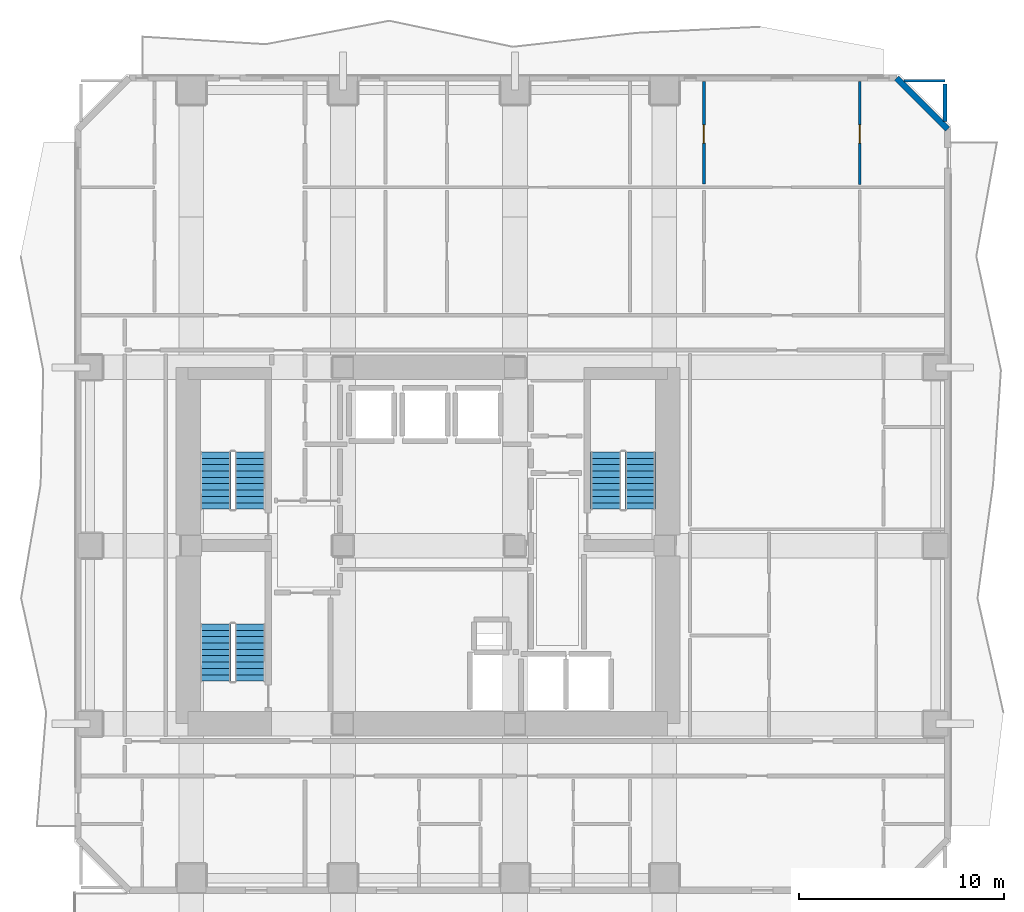
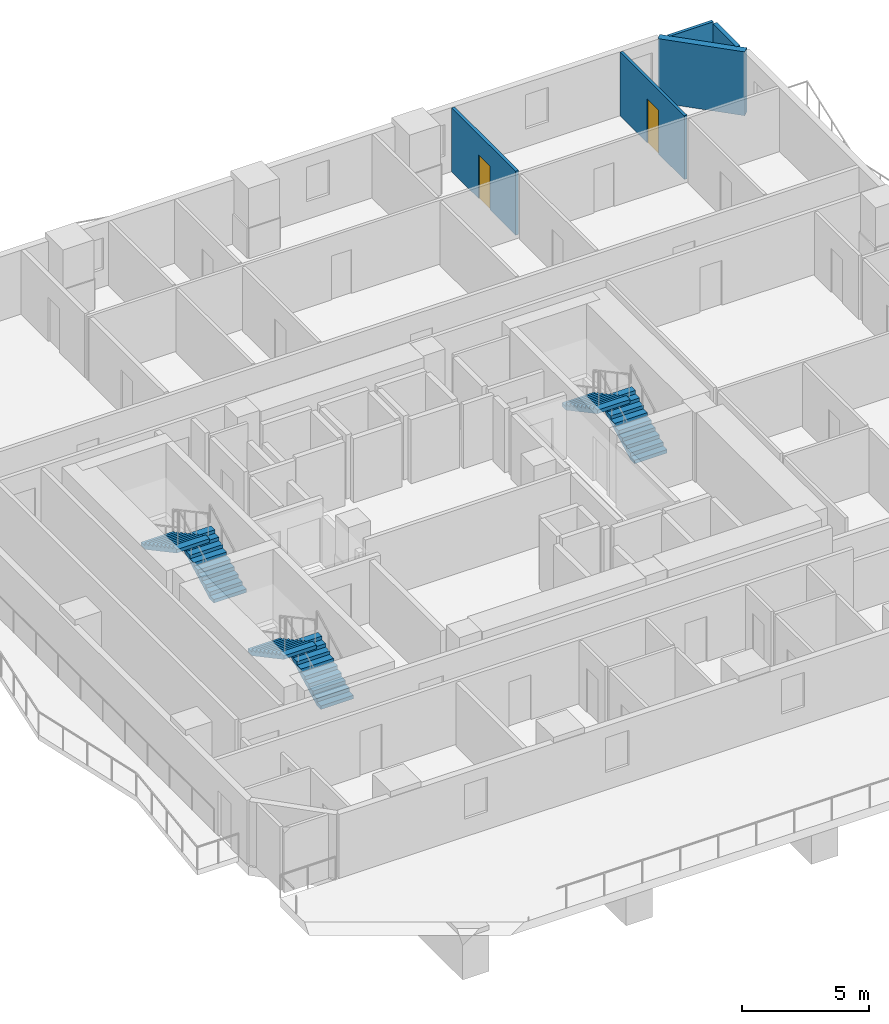
# One storey, part 7 of 11: 6 stair flights, 5 walls, 2 doors, 2 openings, 3 elements without a shape of their own.
"""IFC4 building model written with IfcOpenShell, lengths in metres."""

from ifc_helpers import new_model, si_unit, direction, frame, frame_2d, origin, place, context, subcontext, project, spatial, polyline, rectangle, outline, extrude, material, layer, layer_set, type_object, element, fill, aggregate, save


model = new_model("IFC4")

# Units and contexts
model_context = context("Model", 3, precision=1e-05, world=origin(), true_north=direction((0.0, 1.0)))
body_context = subcontext(model_context, "Body", "Model", "MODEL_VIEW")
ifc_project = project(units=[si_unit("LENGTHUNIT", "METRE"), si_unit("AREAUNIT", "SQUARE_METRE"), si_unit("VOLUMEUNIT", "CUBIC_METRE"), si_unit("PLANEANGLEUNIT", "RADIAN"), si_unit("MASSUNIT", "GRAM", prefix="KILO")], contexts=[model_context])

# Site, building, storey
site_placement = place(None, origin())
site = spatial("IfcSite", under=ifc_project, at=site_placement, CompositionType="ELEMENT")
building_placement = place(site_placement, origin())
building = spatial("IfcBuilding", under=site, at=building_placement, Name="Solanera Arch Residences", CompositionType="ELEMENT")
storey_placement = place(building_placement, frame((0.0, 0.0, 61.840087890625)))
storey = spatial("IfcBuildingStorey", under=building, at=storey_placement, Name="L17", CompositionType="ELEMENT", Elevation=61.840087890625)

# Walls
ifc_material_1 = material(Name="Autoclaved Aerated Concrete Blockwork", Category="masonry")
ifc_layer_1 = layer(ifc_material_1, 0.179931640625)
ifc_layer_set_1 = layer_set([ifc_layer_1], Name="Autoclaved Aerated Concrete Blockwork")
wall_type_1 = type_object("IfcWallType", Name="Corridor Fire Partition 180", PredefinedType="PARTITIONING", material=ifc_layer_set_1)
wall_1_placement = place(storey_placement, frame((50.199951171875, 51.39892578125, 0.0), z_axis=(0.0, 0.0, 1.0), x_axis=(0.0, 1.0, 0.0)))
element("IfcWall", 1, at=wall_1_placement, inside=storey, type_object=wall_type_1, Name="L17 Interior Partition V11 2", PredefinedType="PARTITIONING", context=body_context, shape_type="SweptSolid", body=[
    extrude(rectangle(XDim=1.8330078125, YDim=0.179931640625, at=frame_2d((0.91650390625, 0.0))), origin(), (0.0, 0.0, 1.0), 3.059814453125),
])
ifc_material_2 = material(Name="Precast Concrete C35/45", Category="concrete")
ifc_layer_2 = layer(ifc_material_2, 0.300048828125)
ifc_layer_set_2 = layer_set([ifc_layer_2], Name="Precast Concrete C35/45")
wall_type_2 = type_object("IfcWallType", Name="Exterior Wall Precast Masonry-Frame 300", PredefinedType="STANDARD", material=ifc_layer_set_2)
wall_2_placement = place(storey_placement, frame((47.8349609375, 53.534912109375, 0.0), z_axis=(0.0, 0.0, 1.0), x_axis=(0.707106781187, -0.707106781187, 0.0)))
element("IfcWall", 2, at=wall_2_placement, inside=storey, type_object=wall_type_2, Name="L17 Tower Exterior Precast Masonry-Frame Wall CH3", PredefinedType="STANDARD", context=body_context, shape_type="SweptSolid", body=[
    extrude(rectangle(XDim=3.53564453125, YDim=0.300048828125, at=frame_2d((1.767822265625, 0.0))), origin(), (0.0, 0.0, 1.0), 3.059814453125),
])

# Wall, opening, door
ifc_material_3 = material(Name="Fire-Rated Gypsum Stud Partition", Category="gypsum")
ifc_layer_3 = layer(ifc_material_3, 0.1201171875)
ifc_layer_set_3 = layer_set([ifc_layer_3], Name="Fire-Rated Gypsum Stud Partition")
wall_type_3 = type_object("IfcWallType", Name="Unit Drywall Partition 120", PredefinedType="PARTITIONING", material=ifc_layer_set_3)
wall_3_placement = place(storey_placement, frame((46.047119140625, 48.337890625, 0.0), z_axis=(0.0, 0.0, 1.0), x_axis=(0.0, 1.0, 0.0)))
wall_3 = element("IfcWall", 3, at=wall_3_placement, inside=storey, type_object=wall_type_3, Name="L17 Interior Partition V28 2", PredefinedType="PARTITIONING", context=body_context, shape_type="SweptSolid", body=[
    extrude(rectangle(XDim=5.03515625, YDim=0.1201171875, at=frame_2d((2.517578125, 0.0))), origin(), (0.0, 0.0, 1.0), 3.059814453125),
])
opening_1_placement = place(wall_3_placement, frame((2.011962890625, 0.0, 0.0)))
opening_1 = element("IfcOpeningElement", 4, at=opening_1_placement, cuts=wall_3, Name="Opening DI-02", PredefinedType="OPENING", context=body_context, shape_type="SweptSolid", body=[
    extrude(rectangle(XDim=0.89990234375, YDim=2.10009765625, at=frame_2d((0.449951171875, 1.050048828125))), frame((0.0, 0.070068359375, 0.0), z_axis=(0.0, -1.0, 0.0), x_axis=(1.0, 0.0, 0.0)), (0.0, 0.0, 1.0), 0.1401),
])
ifc_material_4 = material(Name="Fire-Rated Architectural Hardwood", Category="wood")
door_type_1 = type_object("IfcDoorType", Name="Suite Room Swing Door DI-02", OperationType="NOTDEFINED", PredefinedType="DOOR", material=ifc_material_4)
door_1_placement = place(opening_1_placement, origin())
door_1 = element("IfcDoor", 5, at=door_1_placement, inside=storey, type_object=door_type_1, Name="DR-L17-IN-041", OperationType="SINGLE_SWING_LEFT", OverallHeight=2.10009765625, OverallWidth=0.89990234375, PredefinedType="DOOR", context=body_context, shape_type="SweptSolid", body=[
    extrude(rectangle(XDim=0.89990234375, YDim=2.10009765625, at=frame_2d((0.449951171875, 1.050048828125))), frame((0.0, 0.02490234375, 0.0), z_axis=(0.0, -1.0, 0.0), x_axis=(1.0, 0.0, 0.0)), (0.0, 0.0, 1.0), 0.050048828125),
])
fill(opening_1, door_1)

# Wall
ifc_material_5 = material(Name="Autoclaved Aerated Concrete Blockwork", Category="masonry")
ifc_layer_4 = layer(ifc_material_5, 0.139892578125)
ifc_layer_set_4 = layer_set([ifc_layer_4], Name="Autoclaved Aerated Concrete Blockwork")
wall_type_4 = type_object("IfcWallType", Name="Wet-Room Partition 140", PredefinedType="PARTITIONING", material=ifc_layer_set_4)
wall_4_placement = place(storey_placement, frame((48.198974609375, 53.39990234375, 0.0), z_axis=(0.0, 0.0, 1.0), x_axis=(1.0, 0.0, 0.0)))
element("IfcWall", 6, at=wall_4_placement, inside=storey, type_object=wall_type_4, Name="L17 Interior Partition H24 2", PredefinedType="PARTITIONING", context=body_context, shape_type="SweptSolid", body=[
    extrude(rectangle(XDim=2.0009765625, YDim=0.139892578125, at=frame_2d((1.00048828125, 0.0))), origin(), (0.0, 0.0, 1.0), 3.059814453125),
])

# Wall, opening, door
wall_5_placement = place(storey_placement, frame((38.424072265625, 48.347900390625, 0.0), z_axis=(0.0, 0.0, 1.0), x_axis=(0.0, 1.0, 0.0)))
wall_5 = element("IfcWall", 7, at=wall_5_placement, inside=storey, type_object=wall_type_4, Name="L17 Interior Partition V24 2", PredefinedType="PARTITIONING", context=body_context, shape_type="SweptSolid", body=[
    extrude(rectangle(XDim=5.025146484375, YDim=0.139892578125, at=frame_2d((2.5126953125, 0.0))), origin(), (0.0, 0.0, 1.0), 3.059814453125),
])
opening_2_placement = place(wall_5_placement, frame((2.001953125, 0.0, 0.0)))
opening_2 = element("IfcOpeningElement", 8, at=opening_2_placement, cuts=wall_5, Name="Opening DI-03", PredefinedType="OPENING", context=body_context, shape_type="SweptSolid", body=[
    extrude(rectangle(XDim=0.89990234375, YDim=2.10009765625, at=frame_2d((0.449951171875, 1.050048828125))), frame((0.0, 0.079833984375, 0.0), z_axis=(0.0, -1.0, 0.0), x_axis=(1.0, 0.0, 0.0)), (0.0, 0.0, 1.0), 0.1599),
])
ifc_material_6 = material(Name="Fire-Rated Architectural Hardwood", Category="wood")
door_type_2 = type_object("IfcDoorType", Name="Bedroom Swing Door DI-03", OperationType="NOTDEFINED", PredefinedType="DOOR", material=ifc_material_6)
door_2_placement = place(opening_2_placement, origin())
door_2 = element("IfcDoor", 9, at=door_2_placement, inside=storey, type_object=door_type_2, Name="DR-L17-IN-039", OperationType="SINGLE_SWING_LEFT", OverallHeight=2.10009765625, OverallWidth=0.89990234375, PredefinedType="DOOR", context=body_context, shape_type="SweptSolid", body=[
    extrude(rectangle(XDim=0.89990234375, YDim=2.10009765625, at=frame_2d((0.449951171875, 1.050048828125))), frame((0.0, 0.02490234375, 0.0), z_axis=(0.0, -1.0, 0.0), x_axis=(1.0, 0.0, 0.0)), (0.0, 0.0, 1.0), 0.050048828125),
])
fill(opening_2, door_2)

# Stair, stair flights
ifc_material_7 = material(Name="Concrete C40/50 (f'c = 45 MPa)", Category="concrete")
stair_type = type_object("IfcStairType", Name="Tower Dogleg Exit Stair 1480", PredefinedType="HALF_TURN_STAIR", material=ifc_material_7)
stair_1_placement = place(storey_placement, origin())
stair_1 = element("IfcStair", 10, at=stair_1_placement, inside=storey, type_object=stair_type, Name="L17 Tower Core Exit Stair 1", PredefinedType="HALF_TURN_STAIR")
ifc_material_8 = material(Name="Concrete C40/50 (f'c = 45 MPa)", Category="concrete")
stair_flight_type = type_object("IfcStairFlightType", Name="Tower Precast Stair Flight 1480", PredefinedType="STRAIGHT", material=ifc_material_8)
stair_flight_1_placement = place(storey_placement, frame((16.260009765625, 32.47998046875, 0.0), z_axis=(0.0, 0.0, 1.0), x_axis=(0.0, 1.0, 0.0)))
stair_flight_1 = element("IfcStairFlight", 11, at=stair_flight_1_placement, type_object=stair_flight_type, Name="ST-T1 flight 1", NumberOfRisers=10, NumberOfTreads=9, PredefinedType="STRAIGHT", RiserHeight=0.166, TreadLength=0.31, context=body_context, shape_type="SweptSolid", body=[
    extrude(outline(polyline([(0.0, 0.0), (0.0, 0.166015625), (0.31005859375, 0.166015625), (0.31005859375, 0.33203125), (0.6201171875, 0.33203125), (0.6201171875, 0.498046875), (0.929931640625, 0.498046875), (0.929931640625, 0.6640625), (1.239990234375, 0.6640625), (1.239990234375, 0.830078125), (1.550048828125, 0.830078125), (1.550048828125, 0.99609375), (1.860107421875, 0.99609375), (1.860107421875, 1.162109375), (2.169921875, 1.162109375), (2.169921875, 1.327880859375), (2.47998046875, 1.327880859375), (2.47998046875, 1.493896484375), (2.7900390625, 1.493896484375), (2.7900390625, 1.659912109375), (2.7900390625, 1.323974609375), (0.317626953125, 0.0), (0.0, 0.0)])), frame((0.0, 0.739990234375, 0.0), z_axis=(0.0, -1.0, 0.0), x_axis=(1.0, 0.0, 0.0)), (0.0, 0.0, 1.0), 1.47998046875),
])
stair_flight_2_placement = place(storey_placement, frame((14.580078125, 35.27001953125, 1.659912109375), z_axis=(0.0, 0.0, 1.0), x_axis=(0.0, -1.0, 0.0)))
stair_flight_2 = element("IfcStairFlight", 12, at=stair_flight_2_placement, type_object=stair_flight_type, Name="ST-T1 flight 2", NumberOfRisers=10, NumberOfTreads=9, PredefinedType="STRAIGHT", RiserHeight=0.166, TreadLength=0.31, context=body_context, shape_type="SweptSolid", body=[
    extrude(outline(polyline([(0.0, 0.0), (0.0, 0.166015625), (0.31005859375, 0.166015625), (0.31005859375, 0.33203125), (0.6201171875, 0.33203125), (0.6201171875, 0.498046875), (0.929931640625, 0.498046875), (0.929931640625, 0.6640625), (1.239990234375, 0.6640625), (1.239990234375, 0.830078125), (1.550048828125, 0.830078125), (1.550048828125, 0.99609375), (1.860107421875, 0.99609375), (1.860107421875, 1.162109375), (2.169921875, 1.162109375), (2.169921875, 1.327880859375), (2.47998046875, 1.327880859375), (2.47998046875, 1.493896484375), (2.7900390625, 1.493896484375), (2.7900390625, 1.659912109375), (2.7900390625, 1.323974609375), (0.317626953125, 0.0), (0.0, 0.0)])), frame((0.0, 0.739990234375, 0.0), z_axis=(0.0, -1.0, 0.0), x_axis=(1.0, 0.0, 0.0)), (0.0, 0.0, 1.0), 1.47998046875),
])
aggregate(stair_1, [stair_flight_1, stair_flight_2])

stair_2_placement = place(storey_placement, origin())
stair_2 = element("IfcStair", 13, at=stair_2_placement, inside=storey, type_object=stair_type, Name="L17 Tower Core Exit Stair 2", PredefinedType="HALF_TURN_STAIR")
stair_flight_3_placement = place(storey_placement, frame((35.320068359375, 32.47998046875, 0.0), z_axis=(0.0, 0.0, 1.0), x_axis=(0.0, 1.0, 0.0)))
stair_flight_3 = element("IfcStairFlight", 14, at=stair_flight_3_placement, type_object=stair_flight_type, Name="ST-T2 flight 1", NumberOfRisers=10, NumberOfTreads=9, PredefinedType="STRAIGHT", RiserHeight=0.166, TreadLength=0.31, context=body_context, shape_type="SweptSolid", body=[
    extrude(outline(polyline([(0.0, 0.0), (0.0, 0.166015625), (0.31005859375, 0.166015625), (0.31005859375, 0.33203125), (0.6201171875, 0.33203125), (0.6201171875, 0.498046875), (0.929931640625, 0.498046875), (0.929931640625, 0.6640625), (1.239990234375, 0.6640625), (1.239990234375, 0.830078125), (1.550048828125, 0.830078125), (1.550048828125, 0.99609375), (1.860107421875, 0.99609375), (1.860107421875, 1.162109375), (2.169921875, 1.162109375), (2.169921875, 1.327880859375), (2.47998046875, 1.327880859375), (2.47998046875, 1.493896484375), (2.7900390625, 1.493896484375), (2.7900390625, 1.659912109375), (2.7900390625, 1.323974609375), (0.317626953125, 0.0), (0.0, 0.0)])), frame((0.0, 0.739990234375, 0.0), z_axis=(0.0, -1.0, 0.0), x_axis=(1.0, 0.0, 0.0)), (0.0, 0.0, 1.0), 1.47998046875),
])
stair_flight_4_placement = place(storey_placement, frame((33.639892578125, 35.27001953125, 1.659912109375), z_axis=(0.0, 0.0, 1.0), x_axis=(0.0, -1.0, 0.0)))
stair_flight_4 = element("IfcStairFlight", 15, at=stair_flight_4_placement, type_object=stair_flight_type, Name="ST-T2 flight 2", NumberOfRisers=10, NumberOfTreads=9, PredefinedType="STRAIGHT", RiserHeight=0.166, TreadLength=0.31, context=body_context, shape_type="SweptSolid", body=[
    extrude(outline(polyline([(0.0, 0.0), (0.0, 0.166015625), (0.31005859375, 0.166015625), (0.31005859375, 0.33203125), (0.6201171875, 0.33203125), (0.6201171875, 0.498046875), (0.929931640625, 0.498046875), (0.929931640625, 0.6640625), (1.239990234375, 0.6640625), (1.239990234375, 0.830078125), (1.550048828125, 0.830078125), (1.550048828125, 0.99609375), (1.860107421875, 0.99609375), (1.860107421875, 1.162109375), (2.169921875, 1.162109375), (2.169921875, 1.327880859375), (2.47998046875, 1.327880859375), (2.47998046875, 1.493896484375), (2.7900390625, 1.493896484375), (2.7900390625, 1.659912109375), (2.7900390625, 1.323974609375), (0.317626953125, 0.0), (0.0, 0.0)])), frame((0.0, 0.739990234375, 0.0), z_axis=(0.0, -1.0, 0.0), x_axis=(1.0, 0.0, 0.0)), (0.0, 0.0, 1.0), 1.47998046875),
])
aggregate(stair_2, [stair_flight_3, stair_flight_4])

stair_3_placement = place(storey_placement, origin())
stair_3 = element("IfcStair", 16, at=stair_3_placement, inside=storey, type_object=stair_type, Name="L17 Tower Core Exit Stair 3", PredefinedType="HALF_TURN_STAIR")
stair_flight_5_placement = place(storey_placement, frame((16.260009765625, 24.080078125, 0.0), z_axis=(0.0, 0.0, 1.0), x_axis=(0.0, 1.0, 0.0)))
stair_flight_5 = element("IfcStairFlight", 17, at=stair_flight_5_placement, type_object=stair_flight_type, Name="ST-T3 flight 1", NumberOfRisers=10, NumberOfTreads=9, PredefinedType="STRAIGHT", RiserHeight=0.166, TreadLength=0.31, context=body_context, shape_type="SweptSolid", body=[
    extrude(outline(polyline([(0.0, 0.0), (0.0, 0.166015625), (0.31005859375, 0.166015625), (0.31005859375, 0.33203125), (0.6201171875, 0.33203125), (0.6201171875, 0.498046875), (0.929931640625, 0.498046875), (0.929931640625, 0.6640625), (1.239990234375, 0.6640625), (1.239990234375, 0.830078125), (1.550048828125, 0.830078125), (1.550048828125, 0.99609375), (1.860107421875, 0.99609375), (1.860107421875, 1.162109375), (2.169921875, 1.162109375), (2.169921875, 1.327880859375), (2.47998046875, 1.327880859375), (2.47998046875, 1.493896484375), (2.7900390625, 1.493896484375), (2.7900390625, 1.659912109375), (2.7900390625, 1.323974609375), (0.317626953125, 0.0), (0.0, 0.0)])), frame((0.0, 0.739990234375, 0.0), z_axis=(0.0, -1.0, 0.0), x_axis=(1.0, 0.0, 0.0)), (0.0, 0.0, 1.0), 1.47998046875),
])
stair_flight_6_placement = place(storey_placement, frame((14.580078125, 26.8701171875, 1.659912109375), z_axis=(0.0, 0.0, 1.0), x_axis=(0.0, -1.0, 0.0)))
stair_flight_6 = element("IfcStairFlight", 18, at=stair_flight_6_placement, type_object=stair_flight_type, Name="ST-T3 flight 2", NumberOfRisers=10, NumberOfTreads=9, PredefinedType="STRAIGHT", RiserHeight=0.166, TreadLength=0.31, context=body_context, shape_type="SweptSolid", body=[
    extrude(outline(polyline([(0.0, 0.0), (0.0, 0.166015625), (0.31005859375, 0.166015625), (0.31005859375, 0.33203125), (0.6201171875, 0.33203125), (0.6201171875, 0.498046875), (0.929931640625, 0.498046875), (0.929931640625, 0.6640625), (1.239990234375, 0.6640625), (1.239990234375, 0.830078125), (1.550048828125, 0.830078125), (1.550048828125, 0.99609375), (1.860107421875, 0.99609375), (1.860107421875, 1.162109375), (2.169921875, 1.162109375), (2.169921875, 1.327880859375), (2.47998046875, 1.327880859375), (2.47998046875, 1.493896484375), (2.7900390625, 1.493896484375), (2.7900390625, 1.659912109375), (2.7900390625, 1.323974609375), (0.317626953125, 0.0), (0.0, 0.0)])), frame((0.0, 0.739990234375, 0.0), z_axis=(0.0, -1.0, 0.0), x_axis=(1.0, 0.0, 0.0)), (0.0, 0.0, 1.0), 1.47998046875),
])
aggregate(stair_3, [stair_flight_5, stair_flight_6])

save(model, "model.ifc")
